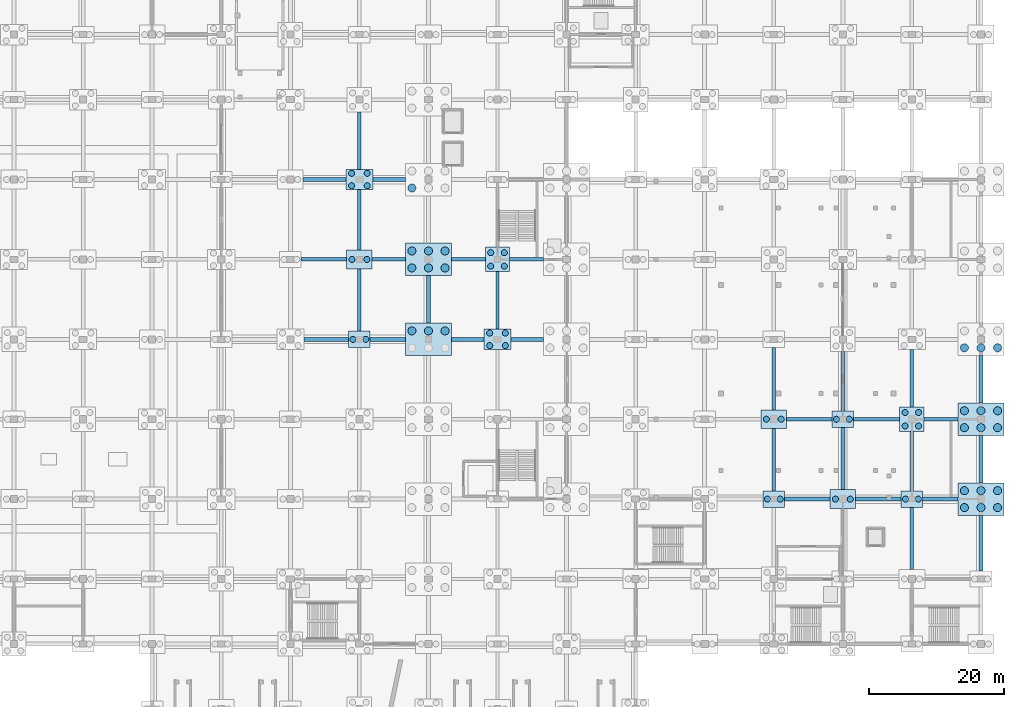
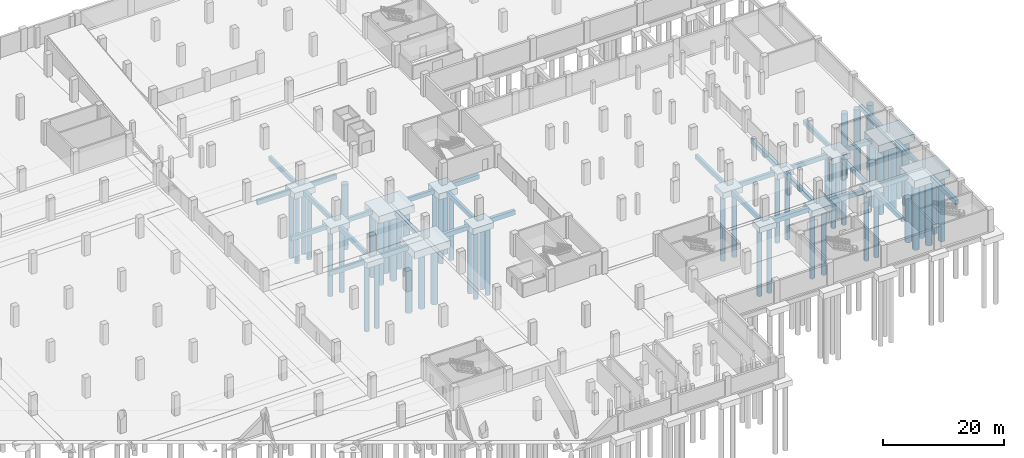
# One storey, part 13 of 52: 55 piles, 46 footings.
"""IFC4 building model written with IfcOpenShell, lengths in metres."""

from ifc_helpers import new_model, si_unit, direction, frame, origin, origin_2d, place, context, subcontext, project, spatial, polyline, rectangle, circle, outline, extrude, material, material_profile, profile_set, type_object, element, save


model = new_model("IFC4")

# Units and contexts
model_context = context("Model", 3, precision=1e-05, world=origin(), true_north=direction((0.0, 1.0)))
body_context = subcontext(model_context, "Body", "Model", "MODEL_VIEW")
ifc_project = project(units=[si_unit("LENGTHUNIT", "METRE"), si_unit("AREAUNIT", "SQUARE_METRE"), si_unit("VOLUMEUNIT", "CUBIC_METRE"), si_unit("PLANEANGLEUNIT", "RADIAN"), si_unit("MASSUNIT", "GRAM", prefix="KILO")], contexts=[model_context])

# Site, building, storey
site_placement = place(None, origin())
site = spatial("IfcSite", under=ifc_project, at=site_placement, CompositionType="ELEMENT")
building_placement = place(site_placement, origin())
building = spatial("IfcBuilding", under=site, at=building_placement, Name="Brelvane Convention Centre", CompositionType="ELEMENT")
storey_placement = place(building_placement, frame((0.0, 0.0, -4.5)))
storey = spatial("IfcBuildingStorey", under=building, at=storey_placement, Name="B1", CompositionType="ELEMENT", Elevation=-4.5)

# Piles
ifc_material_1 = material(Name="Concrete M40", Category="concrete")
ifc_material_profile_1 = material_profile(ifc_material_1, circle(Radius=0.60009765625, at=origin_2d()), Name="PILE D1200")
ifc_profile_set_1 = profile_set([ifc_material_profile_1], Name="Concrete M40")
pile_type_1 = type_object("IfcPileType", Name="Bored Pile PL-1200", PredefinedType="BORED", material=ifc_profile_set_1)
for number, where, z_axis, x_axis, name in (
    (1, (140.35009765625, 65.449951171875, -1.85009765625), (0.0, 0.0, -1.0), (1.0, 0.0, 0.0), "Bored Pile PL-1200 15-G-4"),
    (2, (142.800048828125, 65.449951171875, -1.85009765625), (0.0, 0.0, -1.0), (1.0, 0.0, 0.0), "Bored Pile PL-1200 15-G-5"),
    (3, (145.25, 65.449951171875, -1.85009765625), (0.0, 0.0, -1.0), (1.0, 0.0, 0.0), "Bored Pile PL-1200 15-G-6"),
    (4, (140.35009765625, 74.75, -1.85009765625), (0.0, 0.0, -1.0), (1.0, 0.0, 0.0), "Bored Pile PL-1200 15-H-1"),
    (5, (142.800048828125, 74.75, -1.85009765625), (0.0, 0.0, -1.0), (1.0, 0.0, 0.0), "Bored Pile PL-1200 15-H-2"),
    (6, (145.25, 74.75, -1.85009765625), (0.0, 0.0, -1.0), (1.0, 0.0, 0.0), "Bored Pile PL-1200 15-H-3"),
    (7, (140.35009765625, 77.25, -1.85009765625), (0.0, 0.0, -1.0), (1.0, 0.0, 0.0), "Bored Pile PL-1200 15-H-4"),
    (8, (142.800048828125, 77.25, -1.85009765625), (0.0, 0.0, -1.0), (1.0, 0.0, 0.0), "Bored Pile PL-1200 15-H-5"),
    (9, (145.25, 77.25, -1.85009765625), (0.0, 0.0, -1.0), (1.0, 0.0, 0.0), "Bored Pile PL-1200 15-H-6"),
    (10, (140.35009765625, 86.550048828125, -1.85009765625), (0.0, 0.0, -1.0), (1.0, 0.0, 0.0), "Bored Pile PL-1200 15-J-1"),
    (11, (221.949951171875, 39.35009765625, -1.85009765625), (0.0, 0.0, -1.0), (1.0, 0.0, 0.0), "Bored Pile PL-1200 23-E-1"),
    (12, (224.39990234375, 39.35009765625, -1.85009765625), (0.0, 0.0, -1.0), (1.0, 0.0, 0.0), "Bored Pile PL-1200 23-E-2"),
    (13, (226.85009765625, 39.35009765625, -1.85009765625), (0.0, 0.0, -1.0), (1.0, 0.0, 0.0), "Bored Pile PL-1200 23-E-3"),
    (14, (221.949951171875, 41.85009765625, -1.85009765625), (0.0, 0.0, -1.0), (1.0, 0.0, 0.0), "Bored Pile PL-1200 23-E-4"),
    (15, (224.39990234375, 41.85009765625, -1.85009765625), (0.0, 0.0, -1.0), (1.0, 0.0, 0.0), "Bored Pile PL-1200 23-E-5"),
    (16, (226.85009765625, 41.85009765625, -1.85009765625), (0.0, 0.0, -1.0), (1.0, 0.0, 0.0), "Bored Pile PL-1200 23-E-6"),
    (17, (221.949951171875, 51.14990234375, -1.85009765625), (0.0, 0.0, -1.0), (1.0, 0.0, 0.0), "Bored Pile PL-1200 23-F-1"),
    (18, (224.39990234375, 51.14990234375, -1.85009765625), (0.0, 0.0, -1.0), (1.0, 0.0, 0.0), "Bored Pile PL-1200 23-F-2"),
    (19, (226.85009765625, 51.14990234375, -1.85009765625), (0.0, 0.0, -1.0), (1.0, 0.0, 0.0), "Bored Pile PL-1200 23-F-3"),
    (20, (221.949951171875, 53.64990234375, -1.85009765625), (0.0, 0.0, -1.0), (1.0, 0.0, 0.0), "Bored Pile PL-1200 23-F-4"),
    (21, (224.39990234375, 53.64990234375, -1.85009765625), (0.0, 0.0, -1.0), (1.0, 0.0, 0.0), "Bored Pile PL-1200 23-F-5"),
    (22, (226.85009765625, 53.64990234375, -1.85009765625), (0.0, 0.0, -1.0), (1.0, 0.0, 0.0), "Bored Pile PL-1200 23-F-6"),
    (23, (221.949951171875, 62.949951171875, -1.85009765625), (0.0, 0.0, -1.0), (1.0, 0.0, 0.0), "Bored Pile PL-1200 23-G-1"),
    (24, (224.39990234375, 62.949951171875, -1.85009765625), (0.0, 0.0, -1.0), (1.0, 0.0, 0.0), "Bored Pile PL-1200 23-G-2"),
    (25, (226.85009765625, 62.949951171875, -1.85009765625), (0.0, 0.0, -1.0), (1.0, 0.0, 0.0), "Bored Pile PL-1200 23-G-3"),
):
    element("IfcPile", number, at=place(storey_placement, frame(where, z_axis=z_axis, x_axis=x_axis)), inside=storey, type_object=pile_type_1, Name=name, PredefinedType="BORED", context=body_context, shape_type="SweptSolid", body=[
        extrude(circle(Radius=0.60009765625, at=origin_2d()), origin(), (0.0, 0.0, 1.0), 13.14990234375),
    ])
ifc_material_2 = material(Name="Concrete M40", Category="concrete")
ifc_material_profile_2 = material_profile(ifc_material_2, circle(Radius=0.449951171875, at=origin_2d()), Name="PILE D900")
ifc_profile_set_2 = profile_set([ifc_material_profile_2], Name="Concrete M40")
pile_type_2 = type_object("IfcPileType", Name="Bored Pile PL-900", PredefinedType="BORED", material=ifc_profile_set_2)
for number, where, z_axis, x_axis, name in (
    (26, (131.64990234375, 64.199951171875, -1.449951171875), (0.0, 0.0, -1.0), (1.0, 0.0, 0.0), "Bored Pile PL-900 14-G-1"),
    (27, (133.550048828125, 64.199951171875, -1.449951171875), (0.0, 0.0, -1.0), (1.0, 0.0, 0.0), "Bored Pile PL-900 14-G-2"),
):
    element("IfcPile", number, at=place(storey_placement, frame(where, z_axis=z_axis, x_axis=x_axis)), inside=storey, type_object=pile_type_2, Name=name, PredefinedType="BORED", context=body_context, shape_type="SweptSolid", body=[
        extrude(circle(Radius=0.449951171875, at=origin_2d()), origin(), (0.0, 0.0, 1.0), 13.550048828125),
    ])
for number, where, z_axis, x_axis, name in (
    (28, (131.5, 76.0, -1.5), (0.0, 0.0, -1.0), (1.0, 0.0, 0.0), "Bored Pile PL-900 14-H-1"),
    (29, (133.699951171875, 76.0, -1.5), (0.0, 0.0, -1.0), (1.0, 0.0, 0.0), "Bored Pile PL-900 14-H-2"),
):
    element("IfcPile", number, at=place(storey_placement, frame(where, z_axis=z_axis, x_axis=x_axis)), inside=storey, type_object=pile_type_2, Name=name, PredefinedType="BORED", context=body_context, shape_type="SweptSolid", body=[
        extrude(circle(Radius=0.449951171875, at=origin_2d()), origin(), (0.0, 0.0, 1.0), 13.5),
    ])
for number, where, z_axis, x_axis, name in (
    (30, (131.449951171875, 86.8798828125, -1.550048828125), (0.0, 0.0, -1.0), (1.0, 0.0, 0.0), "Bored Pile PL-900 14-J-1"),
    (31, (133.75, 86.8798828125, -1.550048828125), (0.0, 0.0, -1.0), (1.0, 0.0, 0.0), "Bored Pile PL-900 14-J-2"),
    (32, (131.449951171875, 88.719970703125, -1.550048828125), (0.0, 0.0, -1.0), (1.0, 0.0, 0.0), "Bored Pile PL-900 14-J-3"),
    (33, (133.75, 88.719970703125, -1.550048828125), (0.0, 0.0, -1.0), (1.0, 0.0, 0.0), "Bored Pile PL-900 14-J-4"),
    (34, (151.85009765625, 63.280029296875, -1.550048828125), (0.0, 0.0, -1.0), (1.0, 0.0, 0.0), "Bored Pile PL-900 16-G-1"),
    (35, (154.14990234375, 63.280029296875, -1.550048828125), (0.0, 0.0, -1.0), (1.0, 0.0, 0.0), "Bored Pile PL-900 16-G-2"),
    (36, (151.85009765625, 65.1201171875, -1.550048828125), (0.0, 0.0, -1.0), (1.0, 0.0, 0.0), "Bored Pile PL-900 16-G-3"),
    (37, (154.14990234375, 65.1201171875, -1.550048828125), (0.0, 0.0, -1.0), (1.0, 0.0, 0.0), "Bored Pile PL-900 16-G-4"),
    (38, (152.0, 75.0, -1.550048828125), (0.0, 0.0, -1.0), (1.0, 0.0, 0.0), "Bored Pile PL-900 16-H-1"),
    (39, (154.0, 75.0, -1.550048828125), (0.0, 0.0, -1.0), (1.0, 0.0, 0.0), "Bored Pile PL-900 16-H-2"),
    (40, (152.0, 77.0, -1.550048828125), (0.0, 0.0, -1.0), (1.0, 0.0, 0.0), "Bored Pile PL-900 16-H-3"),
    (41, (154.0, 77.0, -1.550048828125), (0.0, 0.0, -1.0), (1.0, 0.0, 0.0), "Bored Pile PL-900 16-H-4"),
):
    element("IfcPile", number, at=place(storey_placement, frame(where, z_axis=z_axis, x_axis=x_axis)), inside=storey, type_object=pile_type_2, Name=name, PredefinedType="BORED", context=body_context, shape_type="SweptSolid", body=[
        extrude(circle(Radius=0.449951171875, at=origin_2d()), origin(), (0.0, 0.0, 1.0), 13.449951171875),
    ])
for number, where, z_axis, x_axis, name in (
    (42, (192.85009765625, 40.60009765625, -1.449951171875), (0.0, 0.0, -1.0), (1.0, 0.0, 0.0), "Bored Pile PL-900 20-E-1"),
    (43, (194.75, 40.60009765625, -1.449951171875), (0.0, 0.0, -1.0), (1.0, 0.0, 0.0), "Bored Pile PL-900 20-E-2"),
):
    element("IfcPile", number, at=place(storey_placement, frame(where, z_axis=z_axis, x_axis=x_axis)), inside=storey, type_object=pile_type_2, Name=name, PredefinedType="BORED", context=body_context, shape_type="SweptSolid", body=[
        extrude(circle(Radius=0.449951171875, at=origin_2d()), origin(), (0.0, 0.0, 1.0), 13.550048828125),
    ])
for number, where, z_axis, x_axis, name in (
    (44, (192.699951171875, 52.39990234375, -1.5), (0.0, 0.0, -1.0), (1.0, 0.0, 0.0), "Bored Pile PL-900 20-F-1"),
    (45, (194.89990234375, 52.39990234375, -1.5), (0.0, 0.0, -1.0), (1.0, 0.0, 0.0), "Bored Pile PL-900 20-F-2"),
    (46, (202.89990234375, 40.60009765625, -1.5), (0.0, 0.0, -1.0), (1.0, 0.0, 0.0), "Bored Pile PL-900 21-E-1"),
    (47, (205.10009765625, 40.60009765625, -1.5), (0.0, 0.0, -1.0), (1.0, 0.0, 0.0), "Bored Pile PL-900 21-E-2"),
):
    element("IfcPile", number, at=place(storey_placement, frame(where, z_axis=z_axis, x_axis=x_axis)), inside=storey, type_object=pile_type_2, Name=name, PredefinedType="BORED", context=body_context, shape_type="SweptSolid", body=[
        extrude(circle(Radius=0.449951171875, at=origin_2d()), origin(), (0.0, 0.0, 1.0), 13.5),
    ])
for number, where, z_axis, x_axis, name in (
    (48, (203.050048828125, 52.39990234375, -1.449951171875), (0.0, 0.0, -1.0), (1.0, 0.0, 0.0), "Bored Pile PL-900 21-F-1"),
    (49, (204.949951171875, 52.39990234375, -1.449951171875), (0.0, 0.0, -1.0), (1.0, 0.0, 0.0), "Bored Pile PL-900 21-F-2"),
    (50, (213.25, 40.60009765625, -1.449951171875), (0.0, 0.0, -1.0), (1.0, 0.0, 0.0), "Bored Pile PL-900 22-E-1"),
    (51, (215.14990234375, 40.60009765625, -1.449951171875), (0.0, 0.0, -1.0), (1.0, 0.0, 0.0), "Bored Pile PL-900 22-E-2"),
):
    element("IfcPile", number, at=place(storey_placement, frame(where, z_axis=z_axis, x_axis=x_axis)), inside=storey, type_object=pile_type_2, Name=name, PredefinedType="BORED", context=body_context, shape_type="SweptSolid", body=[
        extrude(circle(Radius=0.449951171875, at=origin_2d()), origin(), (0.0, 0.0, 1.0), 13.550048828125),
    ])
for number, where, z_axis, x_axis, name in (
    (52, (213.199951171875, 51.39990234375, -1.550048828125), (0.0, 0.0, -1.0), (1.0, 0.0, 0.0), "Bored Pile PL-900 22-F-1"),
    (53, (215.199951171875, 51.39990234375, -1.550048828125), (0.0, 0.0, -1.0), (1.0, 0.0, 0.0), "Bored Pile PL-900 22-F-2"),
    (54, (213.199951171875, 53.39990234375, -1.550048828125), (0.0, 0.0, -1.0), (1.0, 0.0, 0.0), "Bored Pile PL-900 22-F-3"),
    (55, (215.199951171875, 53.39990234375, -1.550048828125), (0.0, 0.0, -1.0), (1.0, 0.0, 0.0), "Bored Pile PL-900 22-F-4"),
):
    element("IfcPile", number, at=place(storey_placement, frame(where, z_axis=z_axis, x_axis=x_axis)), inside=storey, type_object=pile_type_2, Name=name, PredefinedType="BORED", context=body_context, shape_type="SweptSolid", body=[
        extrude(circle(Radius=0.449951171875, at=origin_2d()), origin(), (0.0, 0.0, 1.0), 13.449951171875),
    ])

# Footings
ifc_material_3 = material(Name="Concrete M40", Category="concrete")
ifc_material_profile_3 = material_profile(ifc_material_3, rectangle(XDim=0.60009765625, YDim=0.89990234375, at=origin_2d()), Name="RC 600x900")
ifc_profile_set_3 = profile_set([ifc_material_profile_3], Name="Concrete M40")
footing_type_1 = type_object("IfcFootingType", Name="Ground Tie Beam GB-1", PredefinedType="FOOTING_BEAM", material=ifc_profile_set_3)
footing_1_placement = place(storey_placement, frame((124.39990234375, 64.199951171875, -0.89990234375), z_axis=(1.0, 0.0, 0.0), x_axis=(0.0, 1.0, 0.0)))
element("IfcFooting", 56, at=footing_1_placement, inside=storey, type_object=footing_type_1, Name="Ground Tie Beam GB-1 13-14/G", PredefinedType="FOOTING_BEAM", context=body_context, shape_type="SweptSolid", body=[
    extrude(rectangle(XDim=0.60009765625, YDim=0.89990234375, at=origin_2d()), origin(), (0.0, 0.0, 1.0), 6.60009765625),
])
footing_2_placement = place(storey_placement, frame((124.300048828125, 87.800048828125, -0.89990234375), z_axis=(1.0, 0.0, 0.0), x_axis=(0.0, 1.0, 0.0)))
element("IfcFooting", 57, at=footing_2_placement, inside=storey, type_object=footing_type_1, Name="Ground Tie Beam GB-1 13-14/J", PredefinedType="FOOTING_BEAM", context=body_context, shape_type="SweptSolid", body=[
    extrude(rectangle(XDim=0.60009765625, YDim=0.89990234375, at=origin_2d()), origin(), (0.0, 0.0, 1.0), 6.300048828125),
])
footing_3_placement = place(storey_placement, frame((134.199951171875, 64.199951171875, -0.89990234375), z_axis=(1.0, 0.0, 0.0), x_axis=(0.0, 1.0, 0.0)))
element("IfcFooting", 58, at=footing_3_placement, inside=storey, type_object=footing_type_1, Name="Ground Tie Beam GB-1 14-15/G", PredefinedType="FOOTING_BEAM", context=body_context, shape_type="SweptSolid", body=[
    extrude(rectangle(XDim=0.60009765625, YDim=0.89990234375, at=origin_2d()), origin(), (0.0, 0.0, 1.0), 5.199951171875),
])
footing_4_placement = place(storey_placement, frame((134.60009765625, 87.800048828125, -0.89990234375), z_axis=(1.0, 0.0, 0.0), x_axis=(0.0, 1.0, 0.0)))
element("IfcFooting", 59, at=footing_4_placement, inside=storey, type_object=footing_type_1, Name="Ground Tie Beam GB-1 14-15/J", PredefinedType="FOOTING_BEAM", context=body_context, shape_type="SweptSolid", body=[
    extrude(rectangle(XDim=0.60009765625, YDim=0.89990234375, at=origin_2d()), origin(), (0.0, 0.0, 1.0), 4.7998046875),
])
footing_5_placement = place(storey_placement, frame((146.199951171875, 64.199951171875, -0.89990234375), z_axis=(1.0, 0.0, 0.0), x_axis=(0.0, 1.0, 0.0)))
element("IfcFooting", 60, at=footing_5_placement, inside=storey, type_object=footing_type_1, Name="Ground Tie Beam GB-1 15-16/G", PredefinedType="FOOTING_BEAM", context=body_context, shape_type="SweptSolid", body=[
    extrude(rectangle(XDim=0.60009765625, YDim=0.89990234375, at=origin_2d()), origin(), (0.0, 0.0, 1.0), 4.800048828125),
])
footing_6_placement = place(storey_placement, frame((142.800048828125, 66.60009765625, -0.89990234375), z_axis=(0.0, 1.0, 0.0), x_axis=(-1.0, 0.0, 0.0)))
element("IfcFooting", 61, at=footing_6_placement, inside=storey, type_object=footing_type_1, Name="Ground Tie Beam GB-1 15/G-H", PredefinedType="FOOTING_BEAM", context=body_context, shape_type="SweptSolid", body=[
    extrude(rectangle(XDim=0.60009765625, YDim=0.89990234375, at=origin_2d()), origin(), (0.0, 0.0, 1.0), 7.0),
])
footing_7_placement = place(storey_placement, frame((155.0, 64.199951171875, -0.89990234375), z_axis=(1.0, 0.0, 0.0), x_axis=(0.0, 1.0, 0.0)))
element("IfcFooting", 62, at=footing_7_placement, inside=storey, type_object=footing_type_1, Name="Ground Tie Beam GB-1 16-17/G", PredefinedType="FOOTING_BEAM", context=body_context, shape_type="SweptSolid", body=[
    extrude(rectangle(XDim=0.60009765625, YDim=0.89990234375, at=origin_2d()), origin(), (0.0, 0.0, 1.0), 4.800048828125),
])
for number, where, z_axis, x_axis, name in (
    (63, (195.39990234375, 40.60009765625, -0.89990234375), (1.0, 0.0, 0.0), (0.0, 1.0, 0.0), "Ground Tie Beam GB-1 20-21/E"),
    (64, (205.89990234375, 40.60009765625, -0.89990234375), (1.0, 0.0, 0.0), (0.0, 1.0, 0.0), "Ground Tie Beam GB-1 21-22/E"),
):
    element("IfcFooting", number, at=place(storey_placement, frame(where, z_axis=z_axis, x_axis=x_axis)), inside=storey, type_object=footing_type_1, Name=name, PredefinedType="FOOTING_BEAM", context=body_context, shape_type="SweptSolid", body=[
        extrude(rectangle(XDim=0.60009765625, YDim=0.89990234375, at=origin_2d()), origin(), (0.0, 0.0, 1.0), 6.7001953125),
    ])
footing_8_placement = place(storey_placement, frame((204.0, 42.0, -0.89990234375), z_axis=(0.0, 1.0, 0.0), x_axis=(-1.0, 0.0, 0.0)))
element("IfcFooting", 65, at=footing_8_placement, inside=storey, type_object=footing_type_1, Name="Ground Tie Beam GB-1 21/E-F", PredefinedType="FOOTING_BEAM", context=body_context, shape_type="SweptSolid", body=[
    extrude(rectangle(XDim=0.60009765625, YDim=0.89990234375, at=origin_2d()), origin(), (0.0, 0.0, 1.0), 9.199951171875),
])
footing_9_placement = place(storey_placement, frame((204.0, 53.60009765625, -0.89990234375), z_axis=(0.0, 1.0, 0.0), x_axis=(-1.0, 0.0, 0.0)))
element("IfcFooting", 66, at=footing_9_placement, inside=storey, type_object=footing_type_1, Name="Ground Tie Beam GB-1 21/F-G", PredefinedType="FOOTING_BEAM", context=body_context, shape_type="SweptSolid", body=[
    extrude(rectangle(XDim=0.60009765625, YDim=0.89990234375, at=origin_2d()), origin(), (0.0, 0.0, 1.0), 8.7998046875),
])
footing_10_placement = place(storey_placement, frame((215.800048828125, 40.60009765625, -0.89990234375), z_axis=(1.0, 0.0, 0.0), x_axis=(0.0, 1.0, 0.0)))
element("IfcFooting", 67, at=footing_10_placement, inside=storey, type_object=footing_type_1, Name="Ground Tie Beam GB-1 22-23/E", PredefinedType="FOOTING_BEAM", context=body_context, shape_type="SweptSolid", body=[
    extrude(rectangle(XDim=0.60009765625, YDim=0.89990234375, at=origin_2d()), origin(), (0.0, 0.0, 1.0), 5.199951171875),
])
footing_11_placement = place(storey_placement, frame((224.39990234375, 30.0, -0.89990234375), z_axis=(0.0, 1.0, 0.0), x_axis=(-1.0, 0.0, 0.0)))
element("IfcFooting", 68, at=footing_11_placement, inside=storey, type_object=footing_type_1, Name="Ground Tie Beam GB-1 23/D-E", PredefinedType="FOOTING_BEAM", context=body_context, shape_type="SweptSolid", body=[
    extrude(rectangle(XDim=0.60009765625, YDim=0.89990234375, at=origin_2d()), origin(), (0.0, 0.0, 1.0), 8.199951171875),
])
for number, where, z_axis, x_axis, name in (
    (69, (224.39990234375, 43.0, -0.89990234375), (0.0, 1.0, 0.0), (-1.0, 0.0, 0.0), "Ground Tie Beam GB-1 23/E-F"),
    (70, (224.39990234375, 54.800048828125, -0.89990234375), (0.0, 1.0, 0.0), (-1.0, 0.0, 0.0), "Ground Tie Beam GB-1 23/F-G"),
):
    element("IfcFooting", number, at=place(storey_placement, frame(where, z_axis=z_axis, x_axis=x_axis)), inside=storey, type_object=footing_type_1, Name=name, PredefinedType="FOOTING_BEAM", context=body_context, shape_type="SweptSolid", body=[
        extrude(rectangle(XDim=0.60009765625, YDim=0.89990234375, at=origin_2d()), origin(), (0.0, 0.0, 1.0), 7.0),
    ])
ifc_material_4 = material(Name="Concrete M40", Category="concrete")
ifc_material_profile_4 = material_profile(ifc_material_4, rectangle(XDim=0.5, YDim=0.89990234375, at=origin_2d()), Name="RC 500x900")
ifc_profile_set_4 = profile_set([ifc_material_profile_4], Name="Concrete M40")
footing_type_2 = type_object("IfcFootingType", Name="Ground Tie Beam GB-2", PredefinedType="FOOTING_BEAM", material=ifc_profile_set_4)
footing_12_placement = place(storey_placement, frame((124.0, 76.0, -0.89990234375), z_axis=(1.0, 0.0, 0.0), x_axis=(0.0, 1.0, 0.0)))
element("IfcFooting", 71, at=footing_12_placement, inside=storey, type_object=footing_type_2, Name="Ground Tie Beam GB-2 13-14/H", PredefinedType="FOOTING_BEAM", context=body_context, shape_type="SweptSolid", body=[
    extrude(rectangle(XDim=0.5, YDim=0.89990234375, at=origin_2d()), origin(), (0.0, 0.0, 1.0), 6.699951171875),
])
footing_13_placement = place(storey_placement, frame((132.60009765625, 65.39990234375, -0.89990234375), z_axis=(0.0, 1.0, 0.0), x_axis=(-1.0, 0.0, 0.0)))
element("IfcFooting", 72, at=footing_13_placement, inside=storey, type_object=footing_type_2, Name="Ground Tie Beam GB-2 14/G-H", PredefinedType="FOOTING_BEAM", context=body_context, shape_type="SweptSolid", body=[
    extrude(rectangle(XDim=0.5, YDim=0.89990234375, at=origin_2d()), origin(), (0.0, 0.0, 1.0), 9.2001953125),
])
footing_14_placement = place(storey_placement, frame((134.5, 76.0, -0.89990234375), z_axis=(1.0, 0.0, 0.0), x_axis=(0.0, 1.0, 0.0)))
element("IfcFooting", 73, at=footing_14_placement, inside=storey, type_object=footing_type_2, Name="Ground Tie Beam GB-2 14-15/H", PredefinedType="FOOTING_BEAM", context=body_context, shape_type="SweptSolid", body=[
    extrude(rectangle(XDim=0.5, YDim=0.89990234375, at=origin_2d()), origin(), (0.0, 0.0, 1.0), 4.89990234375),
])
footing_15_placement = place(storey_placement, frame((132.60009765625, 77.39990234375, -0.89990234375), z_axis=(0.0, 1.0, 0.0), x_axis=(-1.0, 0.0, 0.0)))
element("IfcFooting", 74, at=footing_15_placement, inside=storey, type_object=footing_type_2, Name="Ground Tie Beam GB-2 14/H-J", PredefinedType="FOOTING_BEAM", context=body_context, shape_type="SweptSolid", body=[
    extrude(rectangle(XDim=0.5, YDim=0.89990234375, at=origin_2d()), origin(), (0.0, 0.0, 1.0), 8.900146484375),
])
footing_16_placement = place(storey_placement, frame((132.60009765625, 89.300048828125, -0.89990234375), z_axis=(0.0, 1.0, 0.0), x_axis=(-1.0, 0.0, 0.0)))
element("IfcFooting", 75, at=footing_16_placement, inside=storey, type_object=footing_type_2, Name="Ground Tie Beam GB-2 14/J-K", PredefinedType="FOOTING_BEAM", context=body_context, shape_type="SweptSolid", body=[
    extrude(rectangle(XDim=0.5, YDim=0.89990234375, at=origin_2d()), origin(), (0.0, 0.0, 1.0), 8.5),
])
footing_17_placement = place(storey_placement, frame((146.199951171875, 76.0, -0.89990234375), z_axis=(1.0, 0.0, 0.0), x_axis=(0.0, 1.0, 0.0)))
element("IfcFooting", 76, at=footing_17_placement, inside=storey, type_object=footing_type_2, Name="Ground Tie Beam GB-2 15-16/H", PredefinedType="FOOTING_BEAM", context=body_context, shape_type="SweptSolid", body=[
    extrude(rectangle(XDim=0.5, YDim=0.89990234375, at=origin_2d()), origin(), (0.0, 0.0, 1.0), 5.0),
])
footing_18_placement = place(storey_placement, frame((153.0, 65.699951171875, -0.89990234375), z_axis=(0.0, 1.0, 0.0), x_axis=(-1.0, 0.0, 0.0)))
element("IfcFooting", 77, at=footing_18_placement, inside=storey, type_object=footing_type_2, Name="Ground Tie Beam GB-2 16/G-H", PredefinedType="FOOTING_BEAM", context=body_context, shape_type="SweptSolid", body=[
    extrude(rectangle(XDim=0.5, YDim=0.89990234375, at=origin_2d()), origin(), (0.0, 0.0, 1.0), 8.5),
])
footing_19_placement = place(storey_placement, frame((154.800048828125, 76.0, -0.89990234375), z_axis=(1.0, 0.0, 0.0), x_axis=(0.0, 1.0, 0.0)))
element("IfcFooting", 78, at=footing_19_placement, inside=storey, type_object=footing_type_2, Name="Ground Tie Beam GB-2 16-17/H", PredefinedType="FOOTING_BEAM", context=body_context, shape_type="SweptSolid", body=[
    extrude(rectangle(XDim=0.5, YDim=0.89990234375, at=origin_2d()), origin(), (0.0, 0.0, 1.0), 5.0),
])
footing_20_placement = place(storey_placement, frame((193.800048828125, 41.800048828125, -0.89990234375), z_axis=(0.0, 1.0, 0.0), x_axis=(-1.0, 0.0, 0.0)))
element("IfcFooting", 79, at=footing_20_placement, inside=storey, type_object=footing_type_2, Name="Ground Tie Beam GB-2 20/E-F", PredefinedType="FOOTING_BEAM", context=body_context, shape_type="SweptSolid", body=[
    extrude(rectangle(XDim=0.5, YDim=0.89990234375, at=origin_2d()), origin(), (0.0, 0.0, 1.0), 9.199951171875),
])
footing_21_placement = place(storey_placement, frame((195.699951171875, 52.39990234375, -0.89990234375), z_axis=(1.0, 0.0, 0.0), x_axis=(0.0, 1.0, 0.0)))
element("IfcFooting", 80, at=footing_21_placement, inside=storey, type_object=footing_type_2, Name="Ground Tie Beam GB-2 20-21/F", PredefinedType="FOOTING_BEAM", context=body_context, shape_type="SweptSolid", body=[
    extrude(rectangle(XDim=0.5, YDim=0.89990234375, at=origin_2d()), origin(), (0.0, 0.0, 1.0), 6.699951171875),
])
footing_22_placement = place(storey_placement, frame((193.800048828125, 53.800048828125, -0.89990234375), z_axis=(0.0, 1.0, 0.0), x_axis=(-1.0, 0.0, 0.0)))
element("IfcFooting", 81, at=footing_22_placement, inside=storey, type_object=footing_type_2, Name="Ground Tie Beam GB-2 20/F-G", PredefinedType="FOOTING_BEAM", context=body_context, shape_type="SweptSolid", body=[
    extrude(rectangle(XDim=0.5, YDim=0.89990234375, at=origin_2d()), origin(), (0.0, 0.0, 1.0), 9.199951171875),
])
footing_23_placement = place(storey_placement, frame((205.60009765625, 52.39990234375, -0.89990234375), z_axis=(1.0, 0.0, 0.0), x_axis=(0.0, 1.0, 0.0)))
element("IfcFooting", 82, at=footing_23_placement, inside=storey, type_object=footing_type_2, Name="Ground Tie Beam GB-2 21-22/F", PredefinedType="FOOTING_BEAM", context=body_context, shape_type="SweptSolid", body=[
    extrude(rectangle(XDim=0.5, YDim=0.89990234375, at=origin_2d()), origin(), (0.0, 0.0, 1.0), 6.7998046875),
])
footing_24_placement = place(storey_placement, frame((214.199951171875, 30.199951171875, -0.89990234375), z_axis=(0.0, 1.0, 0.0), x_axis=(-1.0, 0.0, 0.0)))
element("IfcFooting", 83, at=footing_24_placement, inside=storey, type_object=footing_type_2, Name="Ground Tie Beam GB-2 22/D-E", PredefinedType="FOOTING_BEAM", context=body_context, shape_type="SweptSolid", body=[
    extrude(rectangle(XDim=0.5, YDim=0.89990234375, at=origin_2d()), origin(), (0.0, 0.0, 1.0), 9.199951171875),
])
footing_25_placement = place(storey_placement, frame((214.199951171875, 41.800048828125, -0.89990234375), z_axis=(0.0, 1.0, 0.0), x_axis=(-1.0, 0.0, 0.0)))
element("IfcFooting", 84, at=footing_25_placement, inside=storey, type_object=footing_type_2, Name="Ground Tie Beam GB-2 22/E-F", PredefinedType="FOOTING_BEAM", context=body_context, shape_type="SweptSolid", body=[
    extrude(rectangle(XDim=0.5, YDim=0.89990234375, at=origin_2d()), origin(), (0.0, 0.0, 1.0), 8.800048828125),
])
footing_26_placement = place(storey_placement, frame((216.0, 52.39990234375, -0.89990234375), z_axis=(1.0, 0.0, 0.0), x_axis=(0.0, 1.0, 0.0)))
element("IfcFooting", 85, at=footing_26_placement, inside=storey, type_object=footing_type_2, Name="Ground Tie Beam GB-2 22-23/F", PredefinedType="FOOTING_BEAM", context=body_context, shape_type="SweptSolid", body=[
    extrude(rectangle(XDim=0.5, YDim=0.89990234375, at=origin_2d()), origin(), (0.0, 0.0, 1.0), 5.0),
])
footing_27_placement = place(storey_placement, frame((214.199951171875, 54.199951171875, -0.89990234375), z_axis=(0.0, 1.0, 0.0), x_axis=(-1.0, 0.0, 0.0)))
element("IfcFooting", 86, at=footing_27_placement, inside=storey, type_object=footing_type_2, Name="Ground Tie Beam GB-2 22/F-G", PredefinedType="FOOTING_BEAM", context=body_context, shape_type="SweptSolid", body=[
    extrude(rectangle(XDim=0.5, YDim=0.89990234375, at=origin_2d()), origin(), (0.0, 0.0, 1.0), 8.5),
])
ifc_material_5 = material(Name="Concrete M40", Category="concrete")
footing_type_3 = type_object("IfcFootingType", Name="Pile Cap PC-2", PredefinedType="PILE_CAP", material=ifc_material_5)
footing_28_placement = place(storey_placement, frame((0.0, 0.0, -1.550048828125)))
element("IfcFooting", 87, at=footing_28_placement, inside=storey, type_object=footing_type_3, Name="Pile Cap PC-2 at 14-G", PredefinedType="PILE_CAP", context=body_context, shape_type="SweptSolid", body=[
    extrude(outline(polyline([(131.0, 63.0), (134.199951171875, 63.0), (134.199951171875, 65.39990234375), (131.0, 65.39990234375), (131.0, 63.0)])), origin(), (0.0, 0.0, 1.0), 1.10009765625),
])
footing_29_placement = place(storey_placement, frame((0.0, 0.0, -1.550048828125)))
element("IfcFooting", 88, at=footing_29_placement, inside=storey, type_object=footing_type_3, Name="Pile Cap PC-2 at 20-E", PredefinedType="PILE_CAP", context=body_context, shape_type="SweptSolid", body=[
    extrude(outline(polyline([(192.199951171875, 39.39990234375), (195.39990234375, 39.39990234375), (195.39990234375, 41.800048828125), (192.199951171875, 41.800048828125), (192.199951171875, 39.39990234375)])), origin(), (0.0, 0.0, 1.0), 1.10009765625),
])
footing_30_placement = place(storey_placement, frame((0.0, 0.0, -1.550048828125)))
element("IfcFooting", 89, at=footing_30_placement, inside=storey, type_object=footing_type_3, Name="Pile Cap PC-2 at 21-F", PredefinedType="PILE_CAP", context=body_context, shape_type="SweptSolid", body=[
    extrude(outline(polyline([(202.39990234375, 51.199951171875), (205.60009765625, 51.199951171875), (205.60009765625, 53.60009765625), (202.39990234375, 53.60009765625), (202.39990234375, 51.199951171875)])), origin(), (0.0, 0.0, 1.0), 1.10009765625),
])
footing_31_placement = place(storey_placement, frame((0.0, 0.0, -1.550048828125)))
element("IfcFooting", 90, at=footing_31_placement, inside=storey, type_object=footing_type_3, Name="Pile Cap PC-2 at 22-E", PredefinedType="PILE_CAP", context=body_context, shape_type="SweptSolid", body=[
    extrude(outline(polyline([(212.60009765625, 39.39990234375), (215.800048828125, 39.39990234375), (215.800048828125, 41.800048828125), (212.60009765625, 41.800048828125), (212.60009765625, 39.39990234375)])), origin(), (0.0, 0.0, 1.0), 1.10009765625),
])
ifc_material_6 = material(Name="Concrete M40", Category="concrete")
footing_type_4 = type_object("IfcFootingType", Name="Pile Cap PC-3", PredefinedType="PILE_CAP", material=ifc_material_6)
footing_32_placement = place(storey_placement, frame((0.0, 0.0, -1.64990234375)))
element("IfcFooting", 91, at=footing_32_placement, inside=storey, type_object=footing_type_4, Name="Pile Cap PC-3 at 16-H", PredefinedType="PILE_CAP", context=body_context, shape_type="SweptSolid", body=[
    extrude(outline(polyline([(151.199951171875, 74.199951171875), (154.800048828125, 74.199951171875), (154.800048828125, 77.800048828125), (151.199951171875, 77.800048828125), (151.199951171875, 74.199951171875)])), origin(), (0.0, 0.0, 1.0), 1.199951171875),
])
footing_33_placement = place(storey_placement, frame((0.0, 0.0, -1.64990234375)))
element("IfcFooting", 92, at=footing_33_placement, inside=storey, type_object=footing_type_4, Name="Pile Cap PC-3 at 22-F", PredefinedType="PILE_CAP", context=body_context, shape_type="SweptSolid", body=[
    extrude(outline(polyline([(212.39990234375, 50.60009765625), (216.0, 50.60009765625), (216.0, 54.199951171875), (212.39990234375, 54.199951171875), (212.39990234375, 50.60009765625)])), origin(), (0.0, 0.0, 1.0), 1.199951171875),
])
ifc_material_7 = material(Name="Concrete M40", Category="concrete")
footing_type_5 = type_object("IfcFootingType", Name="Pile Cap PC-4", PredefinedType="PILE_CAP", material=ifc_material_7)
footing_34_placement = place(storey_placement, frame((0.0, 0.0, -1.64990234375)))
element("IfcFooting", 93, at=footing_34_placement, inside=storey, type_object=footing_type_5, Name="Pile Cap PC-4 at 14-J", PredefinedType="PILE_CAP", context=body_context, shape_type="SweptSolid", body=[
    extrude(outline(polyline([(130.60009765625, 86.300048828125), (134.60009765625, 86.300048828125), (134.60009765625, 89.300048828125), (130.60009765625, 89.300048828125), (130.60009765625, 86.300048828125)])), origin(), (0.0, 0.0, 1.0), 1.199951171875),
])
footing_35_placement = place(storey_placement, frame((0.0, 0.0, -1.64990234375)))
element("IfcFooting", 94, at=footing_35_placement, inside=storey, type_object=footing_type_5, Name="Pile Cap PC-4 at 16-G", PredefinedType="PILE_CAP", context=body_context, shape_type="SweptSolid", body=[
    extrude(outline(polyline([(151.0, 62.699951171875), (155.0, 62.699951171875), (155.0, 65.699951171875), (151.0, 65.699951171875), (151.0, 62.699951171875)])), origin(), (0.0, 0.0, 1.0), 1.199951171875),
])
ifc_material_8 = material(Name="Concrete M40", Category="concrete")
footing_type_6 = type_object("IfcFootingType", Name="Pile Cap PC-8", PredefinedType="PILE_CAP", material=ifc_material_8)
footing_36_placement = place(storey_placement, frame((0.0, 0.0, -1.949951171875)))
element("IfcFooting", 95, at=footing_36_placement, inside=storey, type_object=footing_type_6, Name="Pile Cap PC-8 at 15-G", PredefinedType="PILE_CAP", context=body_context, shape_type="SweptSolid", body=[
    extrude(outline(polyline([(139.39990234375, 61.800048828125), (146.199951171875, 61.800048828125), (146.199951171875, 66.60009765625), (139.39990234375, 66.60009765625), (139.39990234375, 61.800048828125)])), origin(), (0.0, 0.0, 1.0), 1.5),
])
footing_37_placement = place(storey_placement, frame((0.0, 0.0, -1.949951171875)))
element("IfcFooting", 96, at=footing_37_placement, inside=storey, type_object=footing_type_6, Name="Pile Cap PC-8 at 15-H", PredefinedType="PILE_CAP", context=body_context, shape_type="SweptSolid", body=[
    extrude(outline(polyline([(139.39990234375, 73.60009765625), (146.199951171875, 73.60009765625), (146.199951171875, 78.39990234375), (139.39990234375, 78.39990234375), (139.39990234375, 73.60009765625)])), origin(), (0.0, 0.0, 1.0), 1.5),
])
footing_38_placement = place(storey_placement, frame((0.0, 0.0, -1.949951171875)))
element("IfcFooting", 97, at=footing_38_placement, inside=storey, type_object=footing_type_6, Name="Pile Cap PC-8 at 23-E", PredefinedType="PILE_CAP", context=body_context, shape_type="SweptSolid", body=[
    extrude(outline(polyline([(221.0, 38.199951171875), (227.800048828125, 38.199951171875), (227.800048828125, 43.0), (221.0, 43.0), (221.0, 38.199951171875)])), origin(), (0.0, 0.0, 1.0), 1.5),
])
footing_39_placement = place(storey_placement, frame((0.0, 0.0, -1.949951171875)))
element("IfcFooting", 98, at=footing_39_placement, inside=storey, type_object=footing_type_6, Name="Pile Cap PC-8 at 23-F", PredefinedType="PILE_CAP", context=body_context, shape_type="SweptSolid", body=[
    extrude(outline(polyline([(221.0, 50.0), (227.800048828125, 50.0), (227.800048828125, 54.800048828125), (221.0, 54.800048828125), (221.0, 50.0)])), origin(), (0.0, 0.0, 1.0), 1.5),
])
ifc_material_9 = material(Name="Concrete M40", Category="concrete")
footing_type_7 = type_object("IfcFootingType", Name="Pile Cap PC-9", PredefinedType="PILE_CAP", material=ifc_material_9)
footing_40_placement = place(storey_placement, frame((0.0, 0.0, -1.60009765625)))
element("IfcFooting", 99, at=footing_40_placement, inside=storey, type_object=footing_type_7, Name="Pile Cap PC-9 at 14-H", PredefinedType="PILE_CAP", context=body_context, shape_type="SweptSolid", body=[
    extrude(outline(polyline([(130.699951171875, 74.60009765625), (134.5, 74.60009765625), (134.5, 77.39990234375), (130.699951171875, 77.39990234375), (130.699951171875, 74.60009765625)])), origin(), (0.0, 0.0, 1.0), 1.150146484375),
])
footing_41_placement = place(storey_placement, frame((0.0, 0.0, -1.60009765625)))
element("IfcFooting", 100, at=footing_41_placement, inside=storey, type_object=footing_type_7, Name="Pile Cap PC-9 at 20-F", PredefinedType="PILE_CAP", context=body_context, shape_type="SweptSolid", body=[
    extrude(outline(polyline([(191.89990234375, 51.0), (195.699951171875, 51.0), (195.699951171875, 53.800048828125), (191.89990234375, 53.800048828125), (191.89990234375, 51.0)])), origin(), (0.0, 0.0, 1.0), 1.150146484375),
])
footing_42_placement = place(storey_placement, frame((0.0, 0.0, -1.60009765625)))
element("IfcFooting", 101, at=footing_42_placement, inside=storey, type_object=footing_type_7, Name="Pile Cap PC-9 at 21-E", PredefinedType="PILE_CAP", context=body_context, shape_type="SweptSolid", body=[
    extrude(outline(polyline([(202.10009765625, 39.199951171875), (205.89990234375, 39.199951171875), (205.89990234375, 42.0), (202.10009765625, 42.0), (202.10009765625, 39.199951171875)])), origin(), (0.0, 0.0, 1.0), 1.150146484375),
])

save(model, "model.ifc")
